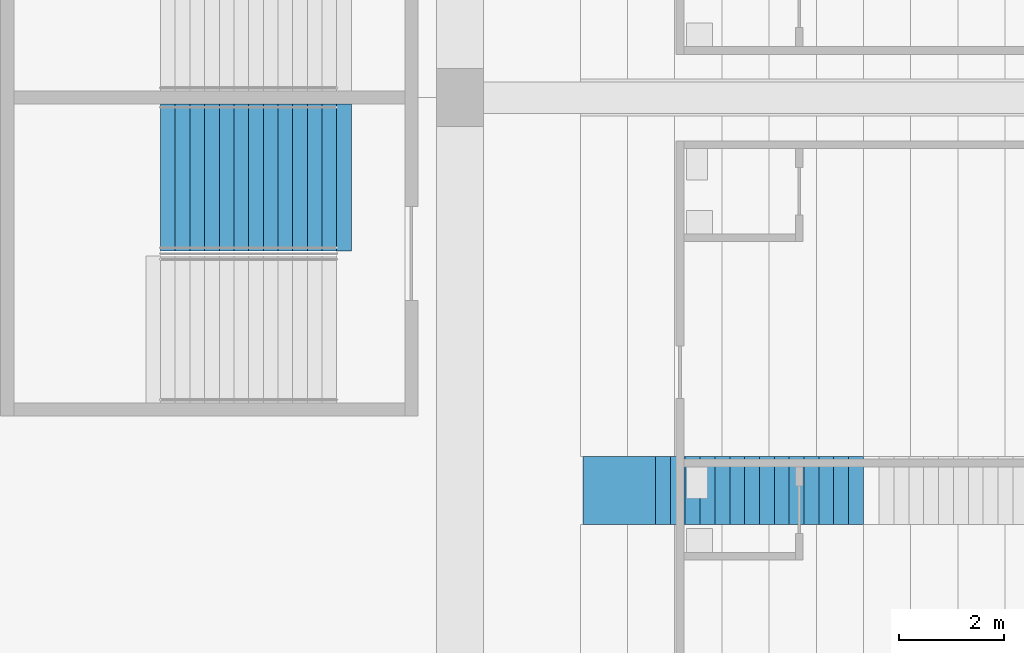
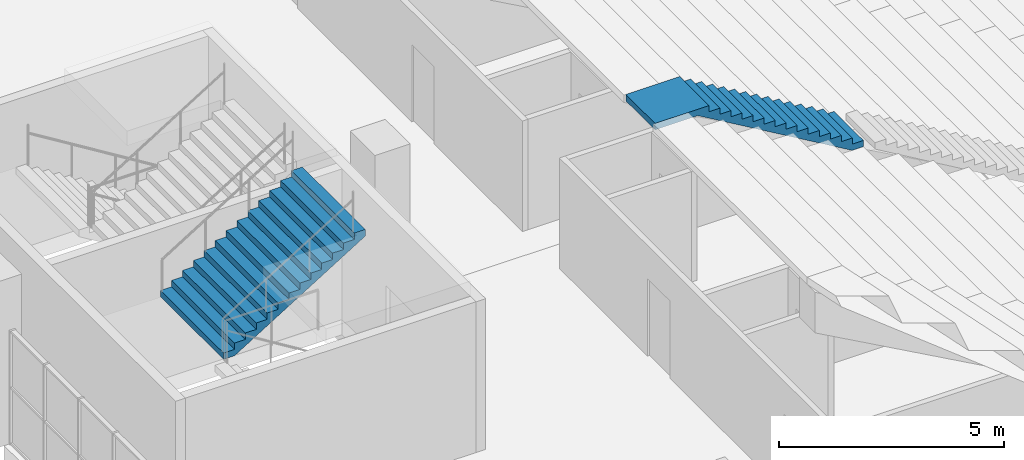
# One storey, part 142 of 249: 2 stair flights, 2 elements without a shape of their own.
"""IFC4 building model written with IfcOpenShell, lengths in metres."""

from ifc_helpers import new_model, si_unit, direction, frame, origin, place, context, subcontext, project, spatial, faceted_brep, material, type_object, element, aggregate, save


model = new_model("IFC4")

# Units and contexts
model_context = context("Model", 3, precision=1e-05, world=origin(), true_north=direction((0.0, 1.0)))
body_context = subcontext(model_context, "Body", "Model", "MODEL_VIEW")
ifc_project = project(units=[si_unit("LENGTHUNIT", "METRE"), si_unit("AREAUNIT", "SQUARE_METRE"), si_unit("VOLUMEUNIT", "CUBIC_METRE"), si_unit("PLANEANGLEUNIT", "RADIAN"), si_unit("MASSUNIT", "GRAM", prefix="KILO")], contexts=[model_context])

# Site, building, storey
site_placement = place(None, origin())
site = spatial("IfcSite", under=ifc_project, at=site_placement, CompositionType="ELEMENT")
building_placement = place(site_placement, origin())
building = spatial("IfcBuilding", under=site, at=building_placement, Name="Ogive Plaza Stadium", CompositionType="ELEMENT")
storey_placement = place(building_placement, frame((0.0, 0.0, 13.5)))
storey = spatial("IfcBuildingStorey", under=building, at=storey_placement, Name="L03", CompositionType="ELEMENT", Elevation=13.5)

# Stair, stair flight
ifc_material_1 = material(Name="Concrete C40/50", Category="concrete")
stair_type_1 = type_object("IfcStairType", Name="Aisle stair", PredefinedType="STRAIGHT_RUN_STAIR", material=ifc_material_1)
stair_1_placement = place(storey_placement, origin())
stair_1 = element("IfcStair", 1, at=stair_1_placement, inside=storey, type_object=stair_type_1, Name="Aisle stair SA21U", PredefinedType="STRAIGHT_RUN_STAIR")
ifc_material_2 = material(Name="Concrete C40/50", Category="concrete")
stair_flight_type_1 = type_object("IfcStairFlightType", Name="Aisle stair flight", PredefinedType="STRAIGHT", material=ifc_material_2)
stair_flight_1_placement = place(storey_placement, frame((-66.300048828125, -45.0, 6.5), z_axis=(0.0, 0.0, 1.0), x_axis=(-1.0, 0.0, 0.0)))
stair_flight_1 = element("IfcStairFlight", 2, at=stair_flight_1_placement, type_object=stair_flight_type_1, Name="SA21U flight 3", NumberOfRisers=15, NumberOfTreads=14, PredefinedType="STRAIGHT", RiserHeight=0.166666667, TreadLength=0.283333333, context=body_context, shape_type="Brep", body=[
    faceted_brep([(0.295654296875, -0.64990234375, 0.0), (4.25, -0.64990234375, 2.326171875), (5.35009765625, -0.64990234375, 2.326171875), (5.35009765625, -0.64990234375, 2.5), (3.966552734375, -0.64990234375, 2.5), (3.966552734375, -0.64990234375, 2.333251953125), (3.683349609375, -0.64990234375, 2.333251953125), (3.683349609375, -0.64990234375, 2.166748046875), (3.39990234375, -0.64990234375, 2.166748046875), (3.39990234375, -0.64990234375, 2.0), (3.11669921875, -0.64990234375, 2.0), (3.11669921875, -0.64990234375, 1.833251953125), (2.833251953125, -0.64990234375, 1.833251953125), (2.833251953125, -0.64990234375, 1.666748046875), (2.550048828125, -0.64990234375, 1.666748046875), (2.550048828125, -0.64990234375, 1.5), (2.2666015625, -0.64990234375, 1.5), (2.2666015625, -0.64990234375, 1.333251953125), (1.9833984375, -0.64990234375, 1.333251953125), (1.9833984375, -0.64990234375, 1.166748046875), (1.699951171875, -0.64990234375, 1.166748046875), (1.699951171875, -0.64990234375, 1.0), (1.416748046875, -0.64990234375, 1.0), (1.416748046875, -0.64990234375, 0.833251953125), (1.13330078125, -0.64990234375, 0.833251953125), (1.13330078125, -0.64990234375, 0.666748046875), (0.85009765625, -0.64990234375, 0.666748046875), (0.85009765625, -0.64990234375, 0.5), (0.566650390625, -0.64990234375, 0.5), (0.566650390625, -0.64990234375, 0.333251953125), (0.283447265625, -0.64990234375, 0.333251953125), (0.283447265625, -0.64990234375, 0.166748046875), (0.0, -0.64990234375, 0.166748046875), (0.0, -0.64990234375, 0.0), (0.0, 0.64990234375, 0.0), (0.0, 0.64990234375, 0.166748046875), (0.283447265625, 0.64990234375, 0.166748046875), (0.283447265625, 0.64990234375, 0.333251953125), (0.566650390625, 0.64990234375, 0.333251953125), (0.566650390625, 0.64990234375, 0.5), (0.85009765625, 0.64990234375, 0.5), (0.85009765625, 0.64990234375, 0.666748046875), (1.13330078125, 0.64990234375, 0.666748046875), (1.13330078125, 0.64990234375, 0.833251953125), (1.416748046875, 0.64990234375, 0.833251953125), (1.416748046875, 0.64990234375, 1.0), (1.699951171875, 0.64990234375, 1.0), (1.699951171875, 0.64990234375, 1.166748046875), (1.9833984375, 0.64990234375, 1.166748046875), (1.9833984375, 0.64990234375, 1.333251953125), (2.2666015625, 0.64990234375, 1.333251953125), (2.2666015625, 0.64990234375, 1.5), (2.550048828125, 0.64990234375, 1.5), (2.550048828125, 0.64990234375, 1.666748046875), (2.833251953125, 0.64990234375, 1.666748046875), (2.833251953125, 0.64990234375, 1.833251953125), (3.11669921875, 0.64990234375, 1.833251953125), (3.11669921875, 0.64990234375, 2.0), (3.39990234375, 0.64990234375, 2.0), (3.39990234375, 0.64990234375, 2.166748046875), (3.683349609375, 0.64990234375, 2.166748046875), (3.683349609375, 0.64990234375, 2.333251953125), (3.966552734375, 0.64990234375, 2.333251953125), (3.966552734375, 0.64990234375, 2.5), (5.35009765625, 0.64990234375, 2.5), (5.35009765625, 0.64990234375, 2.326171875), (4.25, 0.64990234375, 2.326171875), (0.295654296875, 0.64990234375, 0.0), (0.295654296875, -0.324951171875, 0.0), (4.25, -0.324951171875, 2.326171875), (0.295654296875, 0.0, 0.0), (4.25, 0.0, 2.326171875), (0.295654296875, 0.324951171875, 0.0), (4.25, 0.324951171875, 2.326171875), (5.35009765625, -0.324951171875, 2.326171875), (5.35009765625, 0.0, 2.326171875), (5.35009765625, 0.324951171875, 2.326171875), (5.35009765625, -0.324951171875, 2.5), (5.35009765625, 0.0, 2.5), (5.35009765625, 0.324951171875, 2.5), (3.966552734375, -0.324951171875, 2.5), (3.966552734375, 0.0, 2.5), (3.966552734375, 0.324951171875, 2.5), (3.966552734375, -0.324951171875, 2.333251953125), (3.966552734375, 0.0, 2.333251953125), (3.966552734375, 0.324951171875, 2.333251953125), (3.683349609375, -0.324951171875, 2.333251953125), (3.683349609375, 0.0, 2.333251953125), (3.683349609375, 0.324951171875, 2.333251953125), (3.683349609375, -0.324951171875, 2.166748046875), (3.683349609375, 0.0, 2.166748046875), (3.683349609375, 0.324951171875, 2.166748046875), (3.39990234375, -0.324951171875, 2.166748046875), (3.39990234375, 0.0, 2.166748046875), (3.39990234375, 0.324951171875, 2.166748046875), (3.39990234375, -0.324951171875, 2.0), (3.39990234375, 0.0, 2.0), (3.39990234375, 0.324951171875, 2.0), (3.11669921875, -0.324951171875, 2.0), (3.11669921875, 0.0, 2.0), (3.11669921875, 0.324951171875, 2.0), (3.11669921875, -0.324951171875, 1.833251953125), (3.11669921875, 0.0, 1.833251953125), (3.11669921875, 0.324951171875, 1.833251953125), (2.833251953125, -0.324951171875, 1.833251953125), (2.833251953125, 0.0, 1.833251953125), (2.833251953125, 0.324951171875, 1.833251953125), (2.833251953125, -0.324951171875, 1.666748046875), (2.833251953125, 0.0, 1.666748046875), (2.833251953125, 0.324951171875, 1.666748046875), (2.550048828125, -0.324951171875, 1.666748046875), (2.550048828125, 0.0, 1.666748046875), (2.550048828125, 0.324951171875, 1.666748046875), (2.550048828125, -0.324951171875, 1.5), (2.550048828125, 0.0, 1.5), (2.550048828125, 0.324951171875, 1.5), (2.2666015625, -0.324951171875, 1.5), (2.2666015625, 0.0, 1.5), (2.2666015625, 0.324951171875, 1.5), (2.2666015625, -0.324951171875, 1.333251953125), (2.2666015625, 0.0, 1.333251953125), (2.2666015625, 0.324951171875, 1.333251953125), (1.9833984375, -0.324951171875, 1.333251953125), (1.9833984375, 0.0, 1.333251953125), (1.9833984375, 0.324951171875, 1.333251953125), (1.9833984375, -0.324951171875, 1.166748046875), (1.9833984375, 0.0, 1.166748046875), (1.9833984375, 0.324951171875, 1.166748046875), (1.699951171875, -0.324951171875, 1.166748046875), (1.699951171875, 0.0, 1.166748046875), (1.699951171875, 0.324951171875, 1.166748046875), (1.699951171875, -0.324951171875, 1.0), (1.699951171875, 0.0, 1.0), (1.699951171875, 0.324951171875, 1.0), (1.416748046875, -0.324951171875, 1.0), (1.416748046875, 0.0, 1.0), (1.416748046875, 0.324951171875, 1.0), (1.416748046875, -0.324951171875, 0.833251953125), (1.416748046875, 0.0, 0.833251953125), (1.416748046875, 0.324951171875, 0.833251953125), (1.13330078125, -0.324951171875, 0.833251953125), (1.13330078125, 0.0, 0.833251953125), (1.13330078125, 0.324951171875, 0.833251953125), (1.13330078125, -0.324951171875, 0.666748046875), (1.13330078125, 0.0, 0.666748046875), (1.13330078125, 0.324951171875, 0.666748046875), (0.85009765625, -0.324951171875, 0.666748046875), (0.85009765625, 0.0, 0.666748046875), (0.85009765625, 0.324951171875, 0.666748046875), (0.85009765625, -0.324951171875, 0.5), (0.85009765625, 0.0, 0.5), (0.85009765625, 0.324951171875, 0.5), (0.566650390625, -0.324951171875, 0.5), (0.566650390625, 0.0, 0.5), (0.566650390625, 0.324951171875, 0.5), (0.566650390625, -0.324951171875, 0.333251953125), (0.566650390625, 0.0, 0.333251953125), (0.566650390625, 0.324951171875, 0.333251953125), (0.283447265625, -0.324951171875, 0.333251953125), (0.283447265625, 0.0, 0.333251953125), (0.283447265625, 0.324951171875, 0.333251953125), (0.283447265625, -0.324951171875, 0.166748046875), (0.283447265625, 0.0, 0.166748046875), (0.283447265625, 0.324951171875, 0.166748046875), (0.0, -0.324951171875, 0.166748046875), (0.0, 0.0, 0.166748046875), (0.0, 0.324951171875, 0.166748046875), (0.0, -0.324951171875, 0.0), (0.0, 0.0, 0.0), (0.0, 0.324951171875, 0.0)], [[[0, 1, 2, 3, 4, 5, 6, 7, 8, 9, 10, 11, 12, 13, 14, 15, 16, 17, 18, 19, 20, 21, 22, 23, 24, 25, 26, 27, 28, 29, 30, 31, 32, 33]], [[34, 35, 36, 37, 38, 39, 40, 41, 42, 43, 44, 45, 46, 47, 48, 49, 50, 51, 52, 53, 54, 55, 56, 57, 58, 59, 60, 61, 62, 63, 64, 65, 66, 67]], [[0, 68, 69, 1]], [[68, 70, 71, 69]], [[70, 72, 73, 71]], [[72, 67, 66, 73]], [[1, 69, 74, 2]], [[69, 71, 75, 74]], [[71, 73, 76, 75]], [[73, 66, 65, 76]], [[2, 74, 77, 3]], [[74, 75, 78, 77]], [[75, 76, 79, 78]], [[76, 65, 64, 79]], [[3, 77, 80, 4]], [[77, 78, 81, 80]], [[78, 79, 82, 81]], [[79, 64, 63, 82]], [[4, 80, 83, 5]], [[80, 81, 84, 83]], [[81, 82, 85, 84]], [[82, 63, 62, 85]], [[5, 83, 86, 6]], [[83, 84, 87, 86]], [[84, 85, 88, 87]], [[85, 62, 61, 88]], [[6, 86, 89, 7]], [[86, 87, 90, 89]], [[87, 88, 91, 90]], [[88, 61, 60, 91]], [[7, 89, 92, 8]], [[89, 90, 93, 92]], [[90, 91, 94, 93]], [[91, 60, 59, 94]], [[8, 92, 95, 9]], [[92, 93, 96, 95]], [[93, 94, 97, 96]], [[94, 59, 58, 97]], [[9, 95, 98, 10]], [[95, 96, 99, 98]], [[96, 97, 100, 99]], [[97, 58, 57, 100]], [[10, 98, 101, 11]], [[98, 99, 102, 101]], [[99, 100, 103, 102]], [[100, 57, 56, 103]], [[11, 101, 104, 12]], [[101, 102, 105, 104]], [[102, 103, 106, 105]], [[103, 56, 55, 106]], [[12, 104, 107, 13]], [[104, 105, 108, 107]], [[105, 106, 109, 108]], [[106, 55, 54, 109]], [[13, 107, 110, 14]], [[107, 108, 111, 110]], [[108, 109, 112, 111]], [[109, 54, 53, 112]], [[14, 110, 113, 15]], [[110, 111, 114, 113]], [[111, 112, 115, 114]], [[112, 53, 52, 115]], [[15, 113, 116, 16]], [[113, 114, 117, 116]], [[114, 115, 118, 117]], [[115, 52, 51, 118]], [[16, 116, 119, 17]], [[116, 117, 120, 119]], [[117, 118, 121, 120]], [[118, 51, 50, 121]], [[17, 119, 122, 18]], [[119, 120, 123, 122]], [[120, 121, 124, 123]], [[121, 50, 49, 124]], [[18, 122, 125, 19]], [[122, 123, 126, 125]], [[123, 124, 127, 126]], [[124, 49, 48, 127]], [[19, 125, 128, 20]], [[125, 126, 129, 128]], [[126, 127, 130, 129]], [[127, 48, 47, 130]], [[20, 128, 131, 21]], [[128, 129, 132, 131]], [[129, 130, 133, 132]], [[130, 47, 46, 133]], [[21, 131, 134, 22]], [[131, 132, 135, 134]], [[132, 133, 136, 135]], [[133, 46, 45, 136]], [[22, 134, 137, 23]], [[134, 135, 138, 137]], [[135, 136, 139, 138]], [[136, 45, 44, 139]], [[23, 137, 140, 24]], [[137, 138, 141, 140]], [[138, 139, 142, 141]], [[139, 44, 43, 142]], [[24, 140, 143, 25]], [[140, 141, 144, 143]], [[141, 142, 145, 144]], [[142, 43, 42, 145]], [[25, 143, 146, 26]], [[143, 144, 147, 146]], [[144, 145, 148, 147]], [[145, 42, 41, 148]], [[26, 146, 149, 27]], [[146, 147, 150, 149]], [[147, 148, 151, 150]], [[148, 41, 40, 151]], [[27, 149, 152, 28]], [[149, 150, 153, 152]], [[150, 151, 154, 153]], [[151, 40, 39, 154]], [[28, 152, 155, 29]], [[152, 153, 156, 155]], [[153, 154, 157, 156]], [[154, 39, 38, 157]], [[29, 155, 158, 30]], [[155, 156, 159, 158]], [[156, 157, 160, 159]], [[157, 38, 37, 160]], [[30, 158, 161, 31]], [[158, 159, 162, 161]], [[159, 160, 163, 162]], [[160, 37, 36, 163]], [[31, 161, 164, 32]], [[161, 162, 165, 164]], [[162, 163, 166, 165]], [[163, 36, 35, 166]], [[32, 164, 167, 33]], [[164, 165, 168, 167]], [[165, 166, 169, 168]], [[166, 35, 34, 169]], [[33, 167, 68, 0]], [[167, 168, 70, 68]], [[168, 169, 72, 70]], [[169, 34, 67, 72]]]),
])
aggregate(stair_1, [stair_flight_1])

ifc_material_3 = material(Name="Concrete C40/50", Category="concrete")
stair_type_2 = type_object("IfcStairType", Name="Exit stair", PredefinedType="STRAIGHT_RUN_STAIR", material=ifc_material_3)
stair_2_placement = place(storey_placement, origin())
stair_2 = element("IfcStair", 3, at=stair_2_placement, inside=storey, type_object=stair_type_2, Name="Exit stair ST22B L03 to L04", PredefinedType="STRAIGHT_RUN_STAIR")
ifc_material_4 = material(Name="Concrete C40/50", Category="concrete")
stair_flight_type_2 = type_object("IfcStairFlightType", Name="Exit stair flight", PredefinedType="STRAIGHT", material=ifc_material_4)
stair_flight_2_placement = place(storey_placement, frame((-79.7099609375, -39.02490234375, 2.25), z_axis=(0.0, 0.0, 1.0), x_axis=(1.0, 0.0, 0.0)))
stair_flight_2 = element("IfcStairFlight", 4, at=stair_flight_2_placement, type_object=stair_flight_type_2, Name="ST22B flight 2", NumberOfRisers=13, NumberOfTreads=12, PredefinedType="STRAIGHT", RiserHeight=0.173076923, TreadLength=0.28, context=body_context, shape_type="Brep", body=[
    faceted_brep([(0.28515625, -1.39990234375, 0.0), (3.639892578125, -1.39990234375, 2.07373046875), (3.639892578125, -1.39990234375, 2.25), (3.360107421875, -1.39990234375, 2.25), (3.360107421875, -1.39990234375, 2.076904296875), (3.080078125, -1.39990234375, 2.076904296875), (3.080078125, -1.39990234375, 1.90380859375), (2.800048828125, -1.39990234375, 1.90380859375), (2.800048828125, -1.39990234375, 1.730712890625), (2.52001953125, -1.39990234375, 1.730712890625), (2.52001953125, -1.39990234375, 1.5576171875), (2.239990234375, -1.39990234375, 1.5576171875), (2.239990234375, -1.39990234375, 1.384521484375), (1.9599609375, -1.39990234375, 1.384521484375), (1.9599609375, -1.39990234375, 1.21142578125), (1.679931640625, -1.39990234375, 1.21142578125), (1.679931640625, -1.39990234375, 1.03857421875), (1.39990234375, -1.39990234375, 1.03857421875), (1.39990234375, -1.39990234375, 0.865478515625), (1.1201171875, -1.39990234375, 0.865478515625), (1.1201171875, -1.39990234375, 0.6923828125), (0.840087890625, -1.39990234375, 0.6923828125), (0.840087890625, -1.39990234375, 0.519287109375), (0.56005859375, -1.39990234375, 0.519287109375), (0.56005859375, -1.39990234375, 0.34619140625), (0.280029296875, -1.39990234375, 0.34619140625), (0.280029296875, -1.39990234375, 0.173095703125), (0.0, -1.39990234375, 0.173095703125), (0.0, -1.39990234375, 0.0), (0.0, 1.39990234375, 0.0), (0.0, 1.39990234375, 0.173095703125), (0.280029296875, 1.39990234375, 0.173095703125), (0.280029296875, 1.39990234375, 0.34619140625), (0.56005859375, 1.39990234375, 0.34619140625), (0.56005859375, 1.39990234375, 0.519287109375), (0.840087890625, 1.39990234375, 0.519287109375), (0.840087890625, 1.39990234375, 0.6923828125), (1.1201171875, 1.39990234375, 0.6923828125), (1.1201171875, 1.39990234375, 0.865478515625), (1.39990234375, 1.39990234375, 0.865478515625), (1.39990234375, 1.39990234375, 1.03857421875), (1.679931640625, 1.39990234375, 1.03857421875), (1.679931640625, 1.39990234375, 1.21142578125), (1.9599609375, 1.39990234375, 1.21142578125), (1.9599609375, 1.39990234375, 1.384521484375), (2.239990234375, 1.39990234375, 1.384521484375), (2.239990234375, 1.39990234375, 1.5576171875), (2.52001953125, 1.39990234375, 1.5576171875), (2.52001953125, 1.39990234375, 1.730712890625), (2.800048828125, 1.39990234375, 1.730712890625), (2.800048828125, 1.39990234375, 1.90380859375), (3.080078125, 1.39990234375, 1.90380859375), (3.080078125, 1.39990234375, 2.076904296875), (3.360107421875, 1.39990234375, 2.076904296875), (3.360107421875, 1.39990234375, 2.25), (3.639892578125, 1.39990234375, 2.25), (3.639892578125, 1.39990234375, 2.07373046875), (0.28515625, 1.39990234375, 0.0), (0.28515625, -1.0888671875, 0.0), (3.639892578125, -1.0888671875, 2.07373046875), (0.28515625, -0.77783203125, 0.0), (3.639892578125, -0.77783203125, 2.07373046875), (0.28515625, -0.466796875, 0.0), (3.639892578125, -0.466796875, 2.07373046875), (0.28515625, -0.155517578125, 0.0), (3.639892578125, -0.155517578125, 2.07373046875), (0.28515625, 0.155517578125, 0.0), (3.639892578125, 0.155517578125, 2.07373046875), (0.28515625, 0.466796875, 0.0), (3.639892578125, 0.466796875, 2.07373046875), (0.28515625, 0.77783203125, 0.0), (3.639892578125, 0.77783203125, 2.07373046875), (0.28515625, 1.0888671875, 0.0), (3.639892578125, 1.0888671875, 2.07373046875), (3.639892578125, -1.0888671875, 2.25), (3.639892578125, -0.77783203125, 2.25), (3.639892578125, -0.466796875, 2.25), (3.639892578125, -0.155517578125, 2.25), (3.639892578125, 0.155517578125, 2.25), (3.639892578125, 0.466796875, 2.25), (3.639892578125, 0.77783203125, 2.25), (3.639892578125, 1.0888671875, 2.25), (3.360107421875, -1.0888671875, 2.25), (3.360107421875, -0.77783203125, 2.25), (3.360107421875, -0.466796875, 2.25), (3.360107421875, -0.155517578125, 2.25), (3.360107421875, 0.155517578125, 2.25), (3.360107421875, 0.466796875, 2.25), (3.360107421875, 0.77783203125, 2.25), (3.360107421875, 1.0888671875, 2.25), (3.360107421875, -1.0888671875, 2.076904296875), (3.360107421875, -0.77783203125, 2.076904296875), (3.360107421875, -0.466796875, 2.076904296875), (3.360107421875, -0.155517578125, 2.076904296875), (3.360107421875, 0.155517578125, 2.076904296875), (3.360107421875, 0.466796875, 2.076904296875), (3.360107421875, 0.77783203125, 2.076904296875), (3.360107421875, 1.0888671875, 2.076904296875), (3.080078125, -1.0888671875, 2.076904296875), (3.080078125, -0.77783203125, 2.076904296875), (3.080078125, -0.466796875, 2.076904296875), (3.080078125, -0.155517578125, 2.076904296875), (3.080078125, 0.155517578125, 2.076904296875), (3.080078125, 0.466796875, 2.076904296875), (3.080078125, 0.77783203125, 2.076904296875), (3.080078125, 1.0888671875, 2.076904296875), (3.080078125, -1.0888671875, 1.90380859375), (3.080078125, -0.77783203125, 1.90380859375), (3.080078125, -0.466796875, 1.90380859375), (3.080078125, -0.155517578125, 1.90380859375), (3.080078125, 0.155517578125, 1.90380859375), (3.080078125, 0.466796875, 1.90380859375), (3.080078125, 0.77783203125, 1.90380859375), (3.080078125, 1.0888671875, 1.90380859375), (2.800048828125, -1.0888671875, 1.90380859375), (2.800048828125, -0.77783203125, 1.90380859375), (2.800048828125, -0.466796875, 1.90380859375), (2.800048828125, -0.155517578125, 1.90380859375), (2.800048828125, 0.155517578125, 1.90380859375), (2.800048828125, 0.466796875, 1.90380859375), (2.800048828125, 0.77783203125, 1.90380859375), (2.800048828125, 1.0888671875, 1.90380859375), (2.800048828125, -1.0888671875, 1.730712890625), (2.800048828125, -0.77783203125, 1.730712890625), (2.800048828125, -0.466796875, 1.730712890625), (2.800048828125, -0.155517578125, 1.730712890625), (2.800048828125, 0.155517578125, 1.730712890625), (2.800048828125, 0.466796875, 1.730712890625), (2.800048828125, 0.77783203125, 1.730712890625), (2.800048828125, 1.0888671875, 1.730712890625), (2.52001953125, -1.0888671875, 1.730712890625), (2.52001953125, -0.77783203125, 1.730712890625), (2.52001953125, -0.466796875, 1.730712890625), (2.52001953125, -0.155517578125, 1.730712890625), (2.52001953125, 0.155517578125, 1.730712890625), (2.52001953125, 0.466796875, 1.730712890625), (2.52001953125, 0.77783203125, 1.730712890625), (2.52001953125, 1.0888671875, 1.730712890625), (2.52001953125, -1.0888671875, 1.5576171875), (2.52001953125, -0.77783203125, 1.5576171875), (2.52001953125, -0.466796875, 1.5576171875), (2.52001953125, -0.155517578125, 1.5576171875), (2.52001953125, 0.155517578125, 1.5576171875), (2.52001953125, 0.466796875, 1.5576171875), (2.52001953125, 0.77783203125, 1.5576171875), (2.52001953125, 1.0888671875, 1.5576171875), (2.239990234375, -1.0888671875, 1.5576171875), (2.239990234375, -0.77783203125, 1.5576171875), (2.239990234375, -0.466796875, 1.5576171875), (2.239990234375, -0.155517578125, 1.5576171875), (2.239990234375, 0.155517578125, 1.5576171875), (2.239990234375, 0.466796875, 1.5576171875), (2.239990234375, 0.77783203125, 1.5576171875), (2.239990234375, 1.0888671875, 1.5576171875), (2.239990234375, -1.0888671875, 1.384521484375), (2.239990234375, -0.77783203125, 1.384521484375), (2.239990234375, -0.466796875, 1.384521484375), (2.239990234375, -0.155517578125, 1.384521484375), (2.239990234375, 0.155517578125, 1.384521484375), (2.239990234375, 0.466796875, 1.384521484375), (2.239990234375, 0.77783203125, 1.384521484375), (2.239990234375, 1.0888671875, 1.384521484375), (1.9599609375, -1.0888671875, 1.384521484375), (1.9599609375, -0.77783203125, 1.384521484375), (1.9599609375, -0.466796875, 1.384521484375), (1.9599609375, -0.155517578125, 1.384521484375), (1.9599609375, 0.155517578125, 1.384521484375), (1.9599609375, 0.466796875, 1.384521484375), (1.9599609375, 0.77783203125, 1.384521484375), (1.9599609375, 1.0888671875, 1.384521484375), (1.9599609375, -1.0888671875, 1.21142578125), (1.9599609375, -0.77783203125, 1.21142578125), (1.9599609375, -0.466796875, 1.21142578125), (1.9599609375, -0.155517578125, 1.21142578125), (1.9599609375, 0.155517578125, 1.21142578125), (1.9599609375, 0.466796875, 1.21142578125), (1.9599609375, 0.77783203125, 1.21142578125), (1.9599609375, 1.0888671875, 1.21142578125), (1.679931640625, -1.0888671875, 1.21142578125), (1.679931640625, -0.77783203125, 1.21142578125), (1.679931640625, -0.466796875, 1.21142578125), (1.679931640625, -0.155517578125, 1.21142578125), (1.679931640625, 0.155517578125, 1.21142578125), (1.679931640625, 0.466796875, 1.21142578125), (1.679931640625, 0.77783203125, 1.21142578125), (1.679931640625, 1.0888671875, 1.21142578125), (1.679931640625, -1.0888671875, 1.03857421875), (1.679931640625, -0.77783203125, 1.03857421875), (1.679931640625, -0.466796875, 1.03857421875), (1.679931640625, -0.155517578125, 1.03857421875), (1.679931640625, 0.155517578125, 1.03857421875), (1.679931640625, 0.466796875, 1.03857421875), (1.679931640625, 0.77783203125, 1.03857421875), (1.679931640625, 1.0888671875, 1.03857421875), (1.39990234375, -1.0888671875, 1.03857421875), (1.39990234375, -0.77783203125, 1.03857421875), (1.39990234375, -0.466796875, 1.03857421875), (1.39990234375, -0.155517578125, 1.03857421875), (1.39990234375, 0.155517578125, 1.03857421875), (1.39990234375, 0.466796875, 1.03857421875), (1.39990234375, 0.77783203125, 1.03857421875), (1.39990234375, 1.0888671875, 1.03857421875), (1.39990234375, -1.0888671875, 0.865478515625), (1.39990234375, -0.77783203125, 0.865478515625), (1.39990234375, -0.466796875, 0.865478515625), (1.39990234375, -0.155517578125, 0.865478515625), (1.39990234375, 0.155517578125, 0.865478515625), (1.39990234375, 0.466796875, 0.865478515625), (1.39990234375, 0.77783203125, 0.865478515625), (1.39990234375, 1.0888671875, 0.865478515625), (1.1201171875, -1.0888671875, 0.865478515625), (1.1201171875, -0.77783203125, 0.865478515625), (1.1201171875, -0.466796875, 0.865478515625), (1.1201171875, -0.155517578125, 0.865478515625), (1.1201171875, 0.155517578125, 0.865478515625), (1.1201171875, 0.466796875, 0.865478515625), (1.1201171875, 0.77783203125, 0.865478515625), (1.1201171875, 1.0888671875, 0.865478515625), (1.1201171875, -1.0888671875, 0.6923828125), (1.1201171875, -0.77783203125, 0.6923828125), (1.1201171875, -0.466796875, 0.6923828125), (1.1201171875, -0.155517578125, 0.6923828125), (1.1201171875, 0.155517578125, 0.6923828125), (1.1201171875, 0.466796875, 0.6923828125), (1.1201171875, 0.77783203125, 0.6923828125), (1.1201171875, 1.0888671875, 0.6923828125), (0.840087890625, -1.0888671875, 0.6923828125), (0.840087890625, -0.77783203125, 0.6923828125), (0.840087890625, -0.466796875, 0.6923828125), (0.840087890625, -0.155517578125, 0.6923828125), (0.840087890625, 0.155517578125, 0.6923828125), (0.840087890625, 0.466796875, 0.6923828125), (0.840087890625, 0.77783203125, 0.6923828125), (0.840087890625, 1.0888671875, 0.6923828125), (0.840087890625, -1.0888671875, 0.519287109375), (0.840087890625, -0.77783203125, 0.519287109375), (0.840087890625, -0.466796875, 0.519287109375), (0.840087890625, -0.155517578125, 0.519287109375), (0.840087890625, 0.155517578125, 0.519287109375), (0.840087890625, 0.466796875, 0.519287109375), (0.840087890625, 0.77783203125, 0.519287109375), (0.840087890625, 1.0888671875, 0.519287109375), (0.56005859375, -1.0888671875, 0.519287109375), (0.56005859375, -0.77783203125, 0.519287109375), (0.56005859375, -0.466796875, 0.519287109375), (0.56005859375, -0.155517578125, 0.519287109375), (0.56005859375, 0.155517578125, 0.519287109375), (0.56005859375, 0.466796875, 0.519287109375), (0.56005859375, 0.77783203125, 0.519287109375), (0.56005859375, 1.0888671875, 0.519287109375), (0.56005859375, -1.0888671875, 0.34619140625), (0.56005859375, -0.77783203125, 0.34619140625), (0.56005859375, -0.466796875, 0.34619140625), (0.56005859375, -0.155517578125, 0.34619140625), (0.56005859375, 0.155517578125, 0.34619140625), (0.56005859375, 0.466796875, 0.34619140625), (0.56005859375, 0.77783203125, 0.34619140625), (0.56005859375, 1.0888671875, 0.34619140625), (0.280029296875, -1.0888671875, 0.34619140625), (0.280029296875, -0.77783203125, 0.34619140625), (0.280029296875, -0.466796875, 0.34619140625), (0.280029296875, -0.155517578125, 0.34619140625), (0.280029296875, 0.155517578125, 0.34619140625), (0.280029296875, 0.466796875, 0.34619140625), (0.280029296875, 0.77783203125, 0.34619140625), (0.280029296875, 1.0888671875, 0.34619140625), (0.280029296875, -1.0888671875, 0.173095703125), (0.280029296875, -0.77783203125, 0.173095703125), (0.280029296875, -0.466796875, 0.173095703125), (0.280029296875, -0.155517578125, 0.173095703125), (0.280029296875, 0.155517578125, 0.173095703125), (0.280029296875, 0.466796875, 0.173095703125), (0.280029296875, 0.77783203125, 0.173095703125), (0.280029296875, 1.0888671875, 0.173095703125), (0.0, -1.0888671875, 0.173095703125), (0.0, -0.77783203125, 0.173095703125), (0.0, -0.466796875, 0.173095703125), (0.0, -0.155517578125, 0.173095703125), (0.0, 0.155517578125, 0.173095703125), (0.0, 0.466796875, 0.173095703125), (0.0, 0.77783203125, 0.173095703125), (0.0, 1.0888671875, 0.173095703125), (0.0, -1.0888671875, 0.0), (0.0, -0.77783203125, 0.0), (0.0, -0.466796875, 0.0), (0.0, -0.155517578125, 0.0), (0.0, 0.155517578125, 0.0), (0.0, 0.466796875, 0.0), (0.0, 0.77783203125, 0.0), (0.0, 1.0888671875, 0.0)], [[[0, 1, 2, 3, 4, 5, 6, 7, 8, 9, 10, 11, 12, 13, 14, 15, 16, 17, 18, 19, 20, 21, 22, 23, 24, 25, 26, 27, 28]], [[29, 30, 31, 32, 33, 34, 35, 36, 37, 38, 39, 40, 41, 42, 43, 44, 45, 46, 47, 48, 49, 50, 51, 52, 53, 54, 55, 56, 57]], [[0, 58, 59, 1]], [[58, 60, 61, 59]], [[60, 62, 63, 61]], [[62, 64, 65, 63]], [[64, 66, 67, 65]], [[66, 68, 69, 67]], [[68, 70, 71, 69]], [[70, 72, 73, 71]], [[72, 57, 56, 73]], [[1, 59, 74, 2]], [[59, 61, 75, 74]], [[61, 63, 76, 75]], [[63, 65, 77, 76]], [[65, 67, 78, 77]], [[67, 69, 79, 78]], [[69, 71, 80, 79]], [[71, 73, 81, 80]], [[73, 56, 55, 81]], [[2, 74, 82, 3]], [[74, 75, 83, 82]], [[75, 76, 84, 83]], [[76, 77, 85, 84]], [[77, 78, 86, 85]], [[78, 79, 87, 86]], [[79, 80, 88, 87]], [[80, 81, 89, 88]], [[81, 55, 54, 89]], [[3, 82, 90, 4]], [[82, 83, 91, 90]], [[83, 84, 92, 91]], [[84, 85, 93, 92]], [[85, 86, 94, 93]], [[86, 87, 95, 94]], [[87, 88, 96, 95]], [[88, 89, 97, 96]], [[89, 54, 53, 97]], [[4, 90, 98, 5]], [[90, 91, 99, 98]], [[91, 92, 100, 99]], [[92, 93, 101, 100]], [[93, 94, 102, 101]], [[94, 95, 103, 102]], [[95, 96, 104, 103]], [[96, 97, 105, 104]], [[97, 53, 52, 105]], [[5, 98, 106, 6]], [[98, 99, 107, 106]], [[99, 100, 108, 107]], [[100, 101, 109, 108]], [[101, 102, 110, 109]], [[102, 103, 111, 110]], [[103, 104, 112, 111]], [[104, 105, 113, 112]], [[105, 52, 51, 113]], [[6, 106, 114, 7]], [[106, 107, 115, 114]], [[107, 108, 116, 115]], [[108, 109, 117, 116]], [[109, 110, 118, 117]], [[110, 111, 119, 118]], [[111, 112, 120, 119]], [[112, 113, 121, 120]], [[113, 51, 50, 121]], [[7, 114, 122, 8]], [[114, 115, 123, 122]], [[115, 116, 124, 123]], [[116, 117, 125, 124]], [[117, 118, 126, 125]], [[118, 119, 127, 126]], [[119, 120, 128, 127]], [[120, 121, 129, 128]], [[121, 50, 49, 129]], [[8, 122, 130, 9]], [[122, 123, 131, 130]], [[123, 124, 132, 131]], [[124, 125, 133, 132]], [[125, 126, 134, 133]], [[126, 127, 135, 134]], [[127, 128, 136, 135]], [[128, 129, 137, 136]], [[129, 49, 48, 137]], [[9, 130, 138, 10]], [[130, 131, 139, 138]], [[131, 132, 140, 139]], [[132, 133, 141, 140]], [[133, 134, 142, 141]], [[134, 135, 143, 142]], [[135, 136, 144, 143]], [[136, 137, 145, 144]], [[137, 48, 47, 145]], [[10, 138, 146, 11]], [[138, 139, 147, 146]], [[139, 140, 148, 147]], [[140, 141, 149, 148]], [[141, 142, 150, 149]], [[142, 143, 151, 150]], [[143, 144, 152, 151]], [[144, 145, 153, 152]], [[145, 47, 46, 153]], [[11, 146, 154, 12]], [[146, 147, 155, 154]], [[147, 148, 156, 155]], [[148, 149, 157, 156]], [[149, 150, 158, 157]], [[150, 151, 159, 158]], [[151, 152, 160, 159]], [[152, 153, 161, 160]], [[153, 46, 45, 161]], [[12, 154, 162, 13]], [[154, 155, 163, 162]], [[155, 156, 164, 163]], [[156, 157, 165, 164]], [[157, 158, 166, 165]], [[158, 159, 167, 166]], [[159, 160, 168, 167]], [[160, 161, 169, 168]], [[161, 45, 44, 169]], [[13, 162, 170, 14]], [[162, 163, 171, 170]], [[163, 164, 172, 171]], [[164, 165, 173, 172]], [[165, 166, 174, 173]], [[166, 167, 175, 174]], [[167, 168, 176, 175]], [[168, 169, 177, 176]], [[169, 44, 43, 177]], [[14, 170, 178, 15]], [[170, 171, 179, 178]], [[171, 172, 180, 179]], [[172, 173, 181, 180]], [[173, 174, 182, 181]], [[174, 175, 183, 182]], [[175, 176, 184, 183]], [[176, 177, 185, 184]], [[177, 43, 42, 185]], [[15, 178, 186, 16]], [[178, 179, 187, 186]], [[179, 180, 188, 187]], [[180, 181, 189, 188]], [[181, 182, 190, 189]], [[182, 183, 191, 190]], [[183, 184, 192, 191]], [[184, 185, 193, 192]], [[185, 42, 41, 193]], [[16, 186, 194, 17]], [[186, 187, 195, 194]], [[187, 188, 196, 195]], [[188, 189, 197, 196]], [[189, 190, 198, 197]], [[190, 191, 199, 198]], [[191, 192, 200, 199]], [[192, 193, 201, 200]], [[193, 41, 40, 201]], [[17, 194, 202, 18]], [[194, 195, 203, 202]], [[195, 196, 204, 203]], [[196, 197, 205, 204]], [[197, 198, 206, 205]], [[198, 199, 207, 206]], [[199, 200, 208, 207]], [[200, 201, 209, 208]], [[201, 40, 39, 209]], [[18, 202, 210, 19]], [[202, 203, 211, 210]], [[203, 204, 212, 211]], [[204, 205, 213, 212]], [[205, 206, 214, 213]], [[206, 207, 215, 214]], [[207, 208, 216, 215]], [[208, 209, 217, 216]], [[209, 39, 38, 217]], [[19, 210, 218, 20]], [[210, 211, 219, 218]], [[211, 212, 220, 219]], [[212, 213, 221, 220]], [[213, 214, 222, 221]], [[214, 215, 223, 222]], [[215, 216, 224, 223]], [[216, 217, 225, 224]], [[217, 38, 37, 225]], [[20, 218, 226, 21]], [[218, 219, 227, 226]], [[219, 220, 228, 227]], [[220, 221, 229, 228]], [[221, 222, 230, 229]], [[222, 223, 231, 230]], [[223, 224, 232, 231]], [[224, 225, 233, 232]], [[225, 37, 36, 233]], [[21, 226, 234, 22]], [[226, 227, 235, 234]], [[227, 228, 236, 235]], [[228, 229, 237, 236]], [[229, 230, 238, 237]], [[230, 231, 239, 238]], [[231, 232, 240, 239]], [[232, 233, 241, 240]], [[233, 36, 35, 241]], [[22, 234, 242, 23]], [[234, 235, 243, 242]], [[235, 236, 244, 243]], [[236, 237, 245, 244]], [[237, 238, 246, 245]], [[238, 239, 247, 246]], [[239, 240, 248, 247]], [[240, 241, 249, 248]], [[241, 35, 34, 249]], [[23, 242, 250, 24]], [[242, 243, 251, 250]], [[243, 244, 252, 251]], [[244, 245, 253, 252]], [[245, 246, 254, 253]], [[246, 247, 255, 254]], [[247, 248, 256, 255]], [[248, 249, 257, 256]], [[249, 34, 33, 257]], [[24, 250, 258, 25]], [[250, 251, 259, 258]], [[251, 252, 260, 259]], [[252, 253, 261, 260]], [[253, 254, 262, 261]], [[254, 255, 263, 262]], [[255, 256, 264, 263]], [[256, 257, 265, 264]], [[257, 33, 32, 265]], [[25, 258, 266, 26]], [[258, 259, 267, 266]], [[259, 260, 268, 267]], [[260, 261, 269, 268]], [[261, 262, 270, 269]], [[262, 263, 271, 270]], [[263, 264, 272, 271]], [[264, 265, 273, 272]], [[265, 32, 31, 273]], [[26, 266, 274, 27]], [[266, 267, 275, 274]], [[267, 268, 276, 275]], [[268, 269, 277, 276]], [[269, 270, 278, 277]], [[270, 271, 279, 278]], [[271, 272, 280, 279]], [[272, 273, 281, 280]], [[273, 31, 30, 281]], [[27, 274, 282, 28]], [[274, 275, 283, 282]], [[275, 276, 284, 283]], [[276, 277, 285, 284]], [[277, 278, 286, 285]], [[278, 279, 287, 286]], [[279, 280, 288, 287]], [[280, 281, 289, 288]], [[281, 30, 29, 289]], [[28, 282, 58, 0]], [[282, 283, 60, 58]], [[283, 284, 62, 60]], [[284, 285, 64, 62]], [[285, 286, 66, 64]], [[286, 287, 68, 66]], [[287, 288, 70, 68]], [[288, 289, 72, 70]], [[289, 29, 57, 72]]]),
])
aggregate(stair_2, [stair_flight_2])

save(model, "model.ifc")
